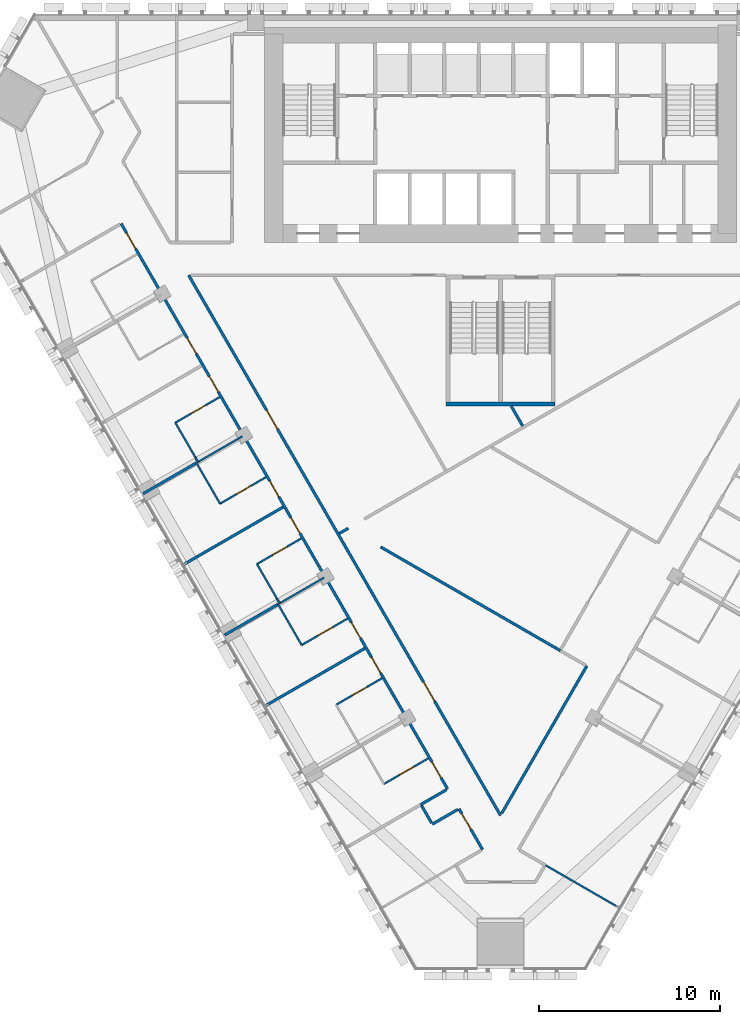
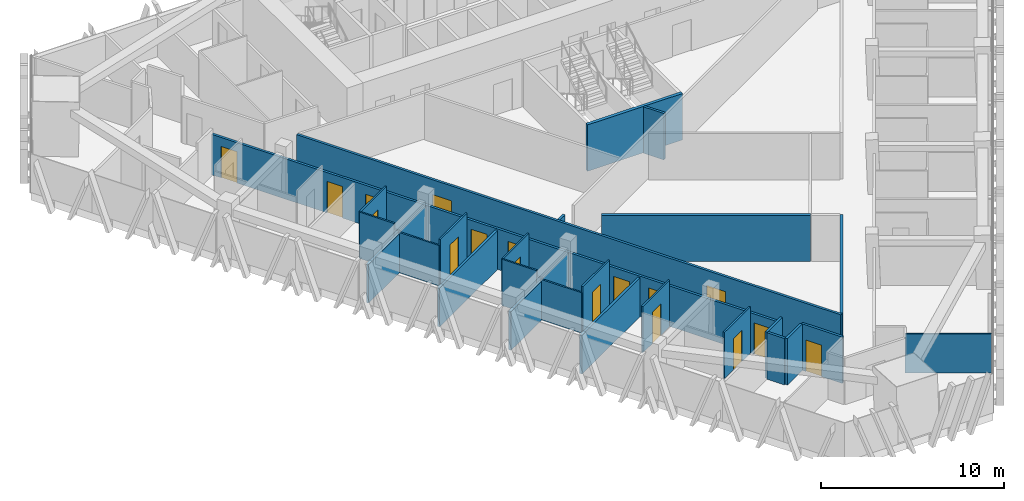
# One storey, part 9 of 17: 30 walls, 17 doors, 17 openings.
"""IFC4 building model written with IfcOpenShell, lengths in metres."""

from ifc_helpers import new_model, si_unit, direction, frame, frame_2d, origin, place, context, subcontext, project, spatial, rectangle, extrude, material, layer, layer_set, type_object, element, fill, save


model = new_model("IFC4")

# Units and contexts
model_context = context("Model", 3, precision=1e-05, world=origin(), true_north=direction((0.0, 1.0)))
body_context = subcontext(model_context, "Body", "Model", "MODEL_VIEW")
ifc_project = project(units=[si_unit("LENGTHUNIT", "METRE"), si_unit("AREAUNIT", "SQUARE_METRE"), si_unit("VOLUMEUNIT", "CUBIC_METRE"), si_unit("PLANEANGLEUNIT", "RADIAN"), si_unit("MASSUNIT", "GRAM", prefix="KILO")], contexts=[model_context])

# Site, building, storey
site_placement = place(None, origin())
site = spatial("IfcSite", under=ifc_project, at=site_placement, CompositionType="ELEMENT")
building_placement = place(site_placement, origin())
building = spatial("IfcBuilding", under=site, at=building_placement, Name="Altiplano Prism Tower", CompositionType="ELEMENT")
storey_placement = place(building_placement, frame((0.0, 0.0, 55.800048828125)))
storey = spatial("IfcBuildingStorey", under=building, at=storey_placement, Name="L13", CompositionType="ELEMENT", Elevation=55.800048828125)

# Walls
ifc_material_1 = material(Name="Plasterboard on steel stud", Category="steel")
ifc_layer_1 = layer(ifc_material_1, 0.10009765625)
ifc_layer_set_1 = layer_set([ifc_layer_1], Name="Plasterboard on steel stud")
wall_type_1 = type_object("IfcWallType", Name="Partition 100 unit", PredefinedType="PARTITIONING", material=ifc_layer_set_1)
wall_1_placement = place(storey_placement, frame((68.321044921875, 80.305419921875, 0.0), z_axis=(0.0, 0.0, 1.0), x_axis=(-0.499816412211, 0.866131372301, 0.0)))
element("IfcWall", 1, at=wall_1_placement, inside=storey, type_object=wall_type_1, Name="Partition P02 L13 061", PredefinedType="PARTITIONING", context=body_context, shape_type="SweptSolid", body=[
    extrude(rectangle(XDim=0.2998046875, YDim=0.10009765625, at=frame_2d((0.14990234375, 0.0))), origin(), (0.0, 0.0, 1.0), 2.699951171875),
])
wall_2_placement = place(storey_placement, frame((68.171142578125, 80.565185546875, 0.0), z_axis=(0.0, 0.0, 1.0), x_axis=(-0.50002983664, 0.866008176907, 0.0)))
element("IfcWall", 2, at=wall_2_placement, inside=storey, type_object=wall_type_1, Name="Partition P02 L13 062", PredefinedType="PARTITIONING", context=body_context, shape_type="SweptSolid", body=[
    extrude(rectangle(XDim=2.199951171875, YDim=0.10009765625, at=frame_2d((1.10009765625, 0.0))), origin(), (0.0, 0.0, 1.0), 3.099853515625),
])

# Wall, opening, door
wall_3_placement = place(storey_placement, frame((67.071044921875, 82.470458984375, 0.0), z_axis=(0.0, 0.0, 1.0), x_axis=(0.866011447264, 0.500024172624, 0.0)))
wall_3 = element("IfcWall", 3, at=wall_3_placement, inside=storey, type_object=wall_type_1, Name="Partition P02 L13 063", PredefinedType="PARTITIONING", context=body_context, shape_type="SweptSolid", body=[
    extrude(rectangle(XDim=2.824951171875, YDim=0.10009765625, at=frame_2d((1.41259765625, 0.0))), origin(), (0.0, 0.0, 1.0), 3.099853515625),
])
opening_1_placement = place(wall_3_placement, frame((1.0, 0.0, 0.0)))
opening_1 = element("IfcOpeningElement", 4, at=opening_1_placement, cuts=wall_3, Name="Opening D0533", PredefinedType="OPENING", context=body_context, shape_type="SweptSolid", body=[
    extrude(rectangle(XDim=0.89990234375, YDim=2.10009765625, at=frame_2d((0.449951171875, 1.050048828125))), frame((0.0, 0.060546875, 0.0), z_axis=(0.0, -1.0, 0.0), x_axis=(1.0, 0.0, 0.0)), (0.0, 0.0, 1.0), 0.12109375),
])
ifc_material_2 = material(Name="Timber", Category="wood")
door_type_1 = type_object("IfcDoorType", Name="Ensuite door 900 x 2100", OperationType="NOTDEFINED", PredefinedType="NOTDEFINED", material=ifc_material_2)
door_1_placement = place(opening_1_placement, origin())
door_1 = element("IfcDoor", 5, at=door_1_placement, inside=storey, type_object=door_type_1, Name="Door D0533", OperationType="SINGLE_SWING_RIGHT", OverallHeight=2.10009765625, OverallWidth=0.89990234375, PredefinedType="NOTDEFINED", context=body_context, shape_type="SweptSolid", body=[
    extrude(rectangle(XDim=0.89990234375, YDim=2.10009765625, at=frame_2d((0.449951171875, 1.050048828125))), frame((0.0, 0.02490234375, 0.0), z_axis=(0.0, -1.0, 0.0), x_axis=(1.0, 0.0, 0.0)), (0.0, 0.0, 1.0), 0.050048828125),
])
fill(opening_1, door_1)

wall_4_placement = place(storey_placement, frame((72.067626953125, 79.46630859375, 0.0), z_axis=(0.0, 0.0, 1.0), x_axis=(-0.866046596414, -0.499963291492, 0.0)))
wall_4 = element("IfcWall", 6, at=wall_4_placement, inside=storey, type_object=wall_type_1, Name="Partition P02 L13 066", PredefinedType="PARTITIONING", context=body_context, shape_type="SweptSolid", body=[
    extrude(rectangle(XDim=2.925048828125, YDim=0.10009765625, at=frame_2d((1.46240234375, 0.0))), origin(), (0.0, 0.0, 1.0), 3.099853515625),
])
opening_2_placement = place(wall_4_placement, frame((0.97509765625, 0.0, 0.0)))
opening_2 = element("IfcOpeningElement", 7, at=opening_2_placement, cuts=wall_4, Name="Opening D0535", PredefinedType="OPENING", context=body_context, shape_type="SweptSolid", body=[
    extrude(rectangle(XDim=0.89990234375, YDim=2.10009765625, at=frame_2d((0.449951171875, 1.050048828125))), frame((0.0, 0.060546875, 0.0), z_axis=(0.0, -1.0, 0.0), x_axis=(1.0, 0.0, 0.0)), (0.0, 0.0, 1.0), 0.12109375),
])
door_2_placement = place(opening_2_placement, origin())
door_2 = element("IfcDoor", 8, at=door_2_placement, inside=storey, type_object=door_type_1, Name="Door D0535", OperationType="SINGLE_SWING_LEFT", OverallHeight=2.10009765625, OverallWidth=0.89990234375, PredefinedType="NOTDEFINED", context=body_context, shape_type="SweptSolid", body=[
    extrude(rectangle(XDim=0.89990234375, YDim=2.10009765625, at=frame_2d((0.449951171875, 1.050048828125))), frame((0.0, 0.02490234375, 0.0), z_axis=(0.0, -1.0, 0.0), x_axis=(1.0, 0.0, 0.0)), (0.0, 0.0, 1.0), 0.050048828125),
])
fill(opening_2, door_2)

# Walls
wall_5_placement = place(storey_placement, frame((69.534423828125, 78.00390625, 0.0), z_axis=(0.0, 0.0, 1.0), x_axis=(-0.500047596559, 0.865997922154, 0.0)))
element("IfcWall", 9, at=wall_5_placement, inside=storey, type_object=wall_type_1, Name="Partition P02 L13 067", PredefinedType="PARTITIONING", context=body_context, shape_type="SweptSolid", body=[
    extrude(rectangle(XDim=2.599853515625, YDim=0.10009765625, at=frame_2d((1.2998046875, 0.0))), origin(), (0.0, 0.0, 1.0), 2.699951171875),
])
wall_6_placement = place(storey_placement, frame((72.821044921875, 72.51123046875, 0.0), z_axis=(0.0, 0.0, 1.0), x_axis=(-0.499816412211, 0.866131372301, 0.0)))
element("IfcWall", 10, at=wall_6_placement, inside=storey, type_object=wall_type_1, Name="Partition P02 L13 069", PredefinedType="PARTITIONING", context=body_context, shape_type="SweptSolid", body=[
    extrude(rectangle(XDim=0.2998046875, YDim=0.10009765625, at=frame_2d((0.14990234375, 0.0))), origin(), (0.0, 0.0, 1.0), 2.699951171875),
])
wall_7_placement = place(storey_placement, frame((72.671142578125, 72.77099609375, 0.0), z_axis=(0.0, 0.0, 1.0), x_axis=(-0.50002983664, 0.866008176907, 0.0)))
element("IfcWall", 11, at=wall_7_placement, inside=storey, type_object=wall_type_1, Name="Partition P02 L13 070", PredefinedType="PARTITIONING", context=body_context, shape_type="SweptSolid", body=[
    extrude(rectangle(XDim=2.199951171875, YDim=0.10009765625, at=frame_2d((1.10009765625, 0.0))), origin(), (0.0, 0.0, 1.0), 3.099853515625),
])

# Wall, opening, door
wall_8_placement = place(storey_placement, frame((71.571044921875, 74.67626953125, 0.0), z_axis=(0.0, 0.0, 1.0), x_axis=(0.866011447264, 0.500024172624, 0.0)))
wall_8 = element("IfcWall", 12, at=wall_8_placement, inside=storey, type_object=wall_type_1, Name="Partition P02 L13 071", PredefinedType="PARTITIONING", context=body_context, shape_type="SweptSolid", body=[
    extrude(rectangle(XDim=2.824951171875, YDim=0.10009765625, at=frame_2d((1.41259765625, 0.0))), origin(), (0.0, 0.0, 1.0), 3.099853515625),
])
opening_3_placement = place(wall_8_placement, frame((1.0, 0.0, 0.0)))
opening_3 = element("IfcOpeningElement", 13, at=opening_3_placement, cuts=wall_8, Name="Opening D0537", PredefinedType="OPENING", context=body_context, shape_type="SweptSolid", body=[
    extrude(rectangle(XDim=0.89990234375, YDim=2.10009765625, at=frame_2d((0.449951171875, 1.050048828125))), frame((0.0, 0.060546875, 0.0), z_axis=(0.0, -1.0, 0.0), x_axis=(1.0, 0.0, 0.0)), (0.0, 0.0, 1.0), 0.12109375),
])
door_3_placement = place(opening_3_placement, origin())
door_3 = element("IfcDoor", 14, at=door_3_placement, inside=storey, type_object=door_type_1, Name="Door D0537", OperationType="SINGLE_SWING_RIGHT", OverallHeight=2.10009765625, OverallWidth=0.89990234375, PredefinedType="NOTDEFINED", context=body_context, shape_type="SweptSolid", body=[
    extrude(rectangle(XDim=0.89990234375, YDim=2.10009765625, at=frame_2d((0.449951171875, 1.050048828125))), frame((0.0, 0.02490234375, 0.0), z_axis=(0.0, -1.0, 0.0), x_axis=(1.0, 0.0, 0.0)), (0.0, 0.0, 1.0), 0.050048828125),
])
fill(opening_3, door_3)

wall_9_placement = place(storey_placement, frame((76.567626953125, 71.672119140625, 0.0), z_axis=(0.0, 0.0, 1.0), x_axis=(-0.86601045545, -0.500025890382, 0.0)))
wall_9 = element("IfcWall", 15, at=wall_9_placement, inside=storey, type_object=wall_type_1, Name="Partition P02 L13 074", PredefinedType="PARTITIONING", context=body_context, shape_type="SweptSolid", body=[
    extrude(rectangle(XDim=2.925048828125, YDim=0.10009765625, at=frame_2d((1.46240234375, 0.0))), origin(), (0.0, 0.0, 1.0), 3.099853515625),
])
opening_4_placement = place(wall_9_placement, frame((0.97509765625, 0.0, 0.0)))
opening_4 = element("IfcOpeningElement", 16, at=opening_4_placement, cuts=wall_9, Name="Opening D0539", PredefinedType="OPENING", context=body_context, shape_type="SweptSolid", body=[
    extrude(rectangle(XDim=0.89990234375, YDim=2.10009765625, at=frame_2d((0.449951171875, 1.050048828125))), frame((0.0, 0.060546875, 0.0), z_axis=(0.0, -1.0, 0.0), x_axis=(1.0, 0.0, 0.0)), (0.0, 0.0, 1.0), 0.12109375),
])
door_4_placement = place(opening_4_placement, origin())
door_4 = element("IfcDoor", 17, at=door_4_placement, inside=storey, type_object=door_type_1, Name="Door D0539", OperationType="SINGLE_SWING_RIGHT", OverallHeight=2.10009765625, OverallWidth=0.89990234375, PredefinedType="NOTDEFINED", context=body_context, shape_type="SweptSolid", body=[
    extrude(rectangle(XDim=0.89990234375, YDim=2.10009765625, at=frame_2d((0.449951171875, 1.050048828125))), frame((0.0, 0.02490234375, 0.0), z_axis=(0.0, -1.0, 0.0), x_axis=(1.0, 0.0, 0.0)), (0.0, 0.0, 1.0), 0.050048828125),
])
fill(opening_4, door_4)

# Wall
wall_10_placement = place(storey_placement, frame((74.034423828125, 70.20947265625, 0.0), z_axis=(0.0, 0.0, 1.0), x_axis=(-0.500006934395, 0.866021400173, 0.0)))
element("IfcWall", 18, at=wall_10_placement, inside=storey, type_object=wall_type_1, Name="Partition P02 L13 075", PredefinedType="PARTITIONING", context=body_context, shape_type="SweptSolid", body=[
    extrude(rectangle(XDim=2.60009765625, YDim=0.10009765625, at=frame_2d((1.300048828125, 0.0))), origin(), (0.0, 0.0, 1.0), 2.699951171875),
])

# Wall, opening, door
wall_11_placement = place(storey_placement, frame((75.9345703125, 66.918701171875, 0.0), z_axis=(0.0, 0.0, 1.0), x_axis=(0.866025730634, 0.499999433879, 0.0)))
wall_11 = element("IfcWall", 19, at=wall_11_placement, inside=storey, type_object=wall_type_1, Name="Partition P02 L13 078", PredefinedType="PARTITIONING", context=body_context, shape_type="SweptSolid", body=[
    extrude(rectangle(XDim=2.9248046875, YDim=0.10009765625, at=frame_2d((1.46240234375, 0.0))), origin(), (0.0, 0.0, 1.0), 3.099853515625),
])
opening_5_placement = place(wall_11_placement, frame((1.050048828125, 0.0, 0.0)))
opening_5 = element("IfcOpeningElement", 20, at=opening_5_placement, cuts=wall_11, Name="Opening D0541", PredefinedType="OPENING", context=body_context, shape_type="SweptSolid", body=[
    extrude(rectangle(XDim=0.89990234375, YDim=2.10009765625, at=frame_2d((0.449951171875, 1.050048828125))), frame((0.0, 0.060546875, 0.0), z_axis=(0.0, -1.0, 0.0), x_axis=(1.0, 0.0, 0.0)), (0.0, 0.0, 1.0), 0.12109375),
])
door_5_placement = place(opening_5_placement, origin())
door_5 = element("IfcDoor", 21, at=door_5_placement, inside=storey, type_object=door_type_1, Name="Door D0541", OperationType="SINGLE_SWING_RIGHT", OverallHeight=2.10009765625, OverallWidth=0.89990234375, PredefinedType="NOTDEFINED", context=body_context, shape_type="SweptSolid", body=[
    extrude(rectangle(XDim=0.89990234375, YDim=2.10009765625, at=frame_2d((0.449951171875, 1.050048828125))), frame((0.0, 0.02490234375, 0.0), z_axis=(0.0, -1.0, 0.0), x_axis=(1.0, 0.0, 0.0)), (0.0, 0.0, 1.0), 0.050048828125),
])
fill(opening_5, door_5)

wall_12_placement = place(storey_placement, frame((81.017578125, 63.96435546875, 0.0), z_axis=(0.0, 0.0, 1.0), x_axis=(-0.866048868473, -0.499959355765, 0.0)))
wall_12 = element("IfcWall", 22, at=wall_12_placement, inside=storey, type_object=wall_type_1, Name="Partition P02 L13 081", PredefinedType="PARTITIONING", context=body_context, shape_type="SweptSolid", body=[
    extrude(rectangle(XDim=2.824951171875, YDim=0.10009765625, at=frame_2d((1.41259765625, 0.0))), origin(), (0.0, 0.0, 1.0), 3.099853515625),
])
opening_6_placement = place(wall_12_placement, frame((0.925048828125, 0.0, 0.0)))
opening_6 = element("IfcOpeningElement", 23, at=opening_6_placement, cuts=wall_12, Name="Opening D0543", PredefinedType="OPENING", context=body_context, shape_type="SweptSolid", body=[
    extrude(rectangle(XDim=0.89990234375, YDim=2.10009765625, at=frame_2d((0.449951171875, 1.050048828125))), frame((0.0, 0.060546875, 0.0), z_axis=(0.0, -1.0, 0.0), x_axis=(1.0, 0.0, 0.0)), (0.0, 0.0, 1.0), 0.12109375),
])
door_6_placement = place(opening_6_placement, origin())
door_6 = element("IfcDoor", 24, at=door_6_placement, inside=storey, type_object=door_type_1, Name="Door D0543", OperationType="SINGLE_SWING_RIGHT", OverallHeight=2.10009765625, OverallWidth=0.89990234375, PredefinedType="NOTDEFINED", context=body_context, shape_type="SweptSolid", body=[
    extrude(rectangle(XDim=0.89990234375, YDim=2.10009765625, at=frame_2d((0.449951171875, 1.050048828125))), frame((0.0, 0.02490234375, 0.0), z_axis=(0.0, -1.0, 0.0), x_axis=(1.0, 0.0, 0.0)), (0.0, 0.0, 1.0), 0.050048828125),
])
fill(opening_6, door_6)

# Walls
ifc_layer_2 = layer(ifc_material_1, 0.10009765625)
ifc_layer_set_2 = layer_set([ifc_layer_2], Name="Plasterboard on steel stud")
wall_type_2 = type_object("IfcWallType", Name="Partition 100 wet", PredefinedType="PARTITIONING", material=ifc_layer_set_2)
for number, where, z_axis, x_axis, name in (
    (25, (68.3037109375, 80.29541015625, 0.0), (0.0, 0.0, 1.0), (0.866011243319, 0.500024525844, 0.0), "Partition P03 L13 065"),
    (26, (72.8037109375, 72.501220703125, 0.0), (0.0, 0.0, 1.0), (0.866011243319, 0.500024525844, 0.0), "Partition P03 L13 073"),
):
    element("IfcWall", number, at=place(storey_placement, frame(where, z_axis=z_axis, x_axis=x_axis)), inside=storey, type_object=wall_type_2, Name=name, PredefinedType="PARTITIONING", context=body_context, shape_type="SweptSolid", body=[
        extrude(rectangle(XDim=2.844970703125, YDim=0.10009765625, at=frame_2d((1.42236328125, 0.0))), origin(), (0.0, 0.0, 1.0), 2.699951171875),
    ])
wall_13_placement = place(storey_placement, frame((91.55029296875, 55.7216796875, 0.0), z_axis=(0.0, 0.0, 1.0), x_axis=(-0.866028632512, 0.499994407638, 0.0)))
element("IfcWall", 27, at=wall_13_placement, inside=storey, type_object=wall_type_2, Name="Partition P03 L13 085", PredefinedType="PARTITIONING", context=body_context, shape_type="SweptSolid", body=[
    extrude(rectangle(XDim=4.740234375, YDim=0.10009765625, at=frame_2d((2.3701171875, 0.0))), origin(), (0.0, 0.0, 1.0), 2.599853515625),
])

# Wall, openings, doors
ifc_layer_3 = layer(ifc_material_1, 0.14990234375)
ifc_layer_set_3 = layer_set([ifc_layer_3], Name="Plasterboard on steel stud")
wall_type_3 = type_object("IfcWallType", Name="Partition 150 corridor", PredefinedType="PARTITIONING", material=ifc_layer_set_3)
wall_14_placement = place(storey_placement, frame((64.08251953125, 93.44677734375, 0.0), z_axis=(0.0, 0.0, 1.0), x_axis=(0.5000018851, -0.866024315419, 0.0)))
wall_14 = element("IfcWall", 28, at=wall_14_placement, inside=storey, type_object=wall_type_3, Name="Partition P06 L13 012", PredefinedType="PARTITIONING", context=body_context, shape_type="SweptSolid", body=[
    extrude(rectangle(XDim=35.999755859375, YDim=0.14990234375, at=frame_2d((18.0, 0.0))), origin(), (0.0, 0.0, 1.0), 2.699951171875),
])
opening_7_placement = place(wall_14_placement, frame((0.60498046875, 0.0, 0.0)))
opening_7 = element("IfcOpeningElement", 29, at=opening_7_placement, cuts=wall_14, Name="Opening D0528", PredefinedType="OPENING", context=body_context, shape_type="SweptSolid", body=[
    extrude(rectangle(XDim=1.0, YDim=2.10009765625, at=frame_2d((0.5, 1.050048828125))), frame((0.0, 0.08544921875, 0.0), z_axis=(0.0, -1.0, 0.0), x_axis=(1.0, 0.0, 0.0)), (0.0, 0.0, 1.0), 0.1708984375),
])
opening_8_placement = place(wall_14_placement, frame((7.280029296875, 0.0, 0.0)))
opening_8 = element("IfcOpeningElement", 30, at=opening_8_placement, cuts=wall_14, Name="Opening D0530", PredefinedType="OPENING", context=body_context, shape_type="SweptSolid", body=[
    extrude(rectangle(XDim=1.0, YDim=2.10009765625, at=frame_2d((0.5, 1.050048828125))), frame((0.0, 0.08544921875, 0.0), z_axis=(0.0, -1.0, 0.0), x_axis=(1.0, 0.0, 0.0)), (0.0, 0.0, 1.0), 0.1708984375),
])
opening_9_placement = place(wall_14_placement, frame((9.719970703125, 0.0, 0.0)))
opening_9 = element("IfcOpeningElement", 31, at=opening_9_placement, cuts=wall_14, Name="Opening D0532", PredefinedType="OPENING", context=body_context, shape_type="SweptSolid", body=[
    extrude(rectangle(XDim=1.0, YDim=2.10009765625, at=frame_2d((0.5, 1.050048828125))), frame((0.0, 0.08544921875, 0.0), z_axis=(0.0, -1.0, 0.0), x_axis=(1.0, 0.0, 0.0)), (0.0, 0.0, 1.0), 0.1708984375),
])
opening_10_placement = place(wall_14_placement, frame((16.39501953125, 0.0, 0.0)))
opening_10 = element("IfcOpeningElement", 32, at=opening_10_placement, cuts=wall_14, Name="Opening D0534", PredefinedType="OPENING", context=body_context, shape_type="SweptSolid", body=[
    extrude(rectangle(XDim=1.0, YDim=2.10009765625, at=frame_2d((0.5, 1.050048828125))), frame((0.0, 0.08544921875, 0.0), z_axis=(0.0, -1.0, 0.0), x_axis=(1.0, 0.0, 0.0)), (0.0, 0.0, 1.0), 0.1708984375),
])
opening_11_placement = place(wall_14_placement, frame((18.719970703125, 0.0, 0.0)))
opening_11 = element("IfcOpeningElement", 33, at=opening_11_placement, cuts=wall_14, Name="Opening D0536", PredefinedType="OPENING", context=body_context, shape_type="SweptSolid", body=[
    extrude(rectangle(XDim=1.0, YDim=2.10009765625, at=frame_2d((0.5, 1.050048828125))), frame((0.0, 0.08544921875, 0.0), z_axis=(0.0, -1.0, 0.0), x_axis=(1.0, 0.0, 0.0)), (0.0, 0.0, 1.0), 0.1708984375),
])
opening_12_placement = place(wall_14_placement, frame((25.39501953125, 0.0, 0.0)))
opening_12 = element("IfcOpeningElement", 34, at=opening_12_placement, cuts=wall_14, Name="Opening D0538", PredefinedType="OPENING", context=body_context, shape_type="SweptSolid", body=[
    extrude(rectangle(XDim=1.0, YDim=2.10009765625, at=frame_2d((0.5, 1.050048828125))), frame((0.0, 0.08544921875, 0.0), z_axis=(0.0, -1.0, 0.0), x_axis=(1.0, 0.0, 0.0)), (0.0, 0.0, 1.0), 0.1708984375),
])
opening_13_placement = place(wall_14_placement, frame((27.60498046875, 0.0, 0.0)))
opening_13 = element("IfcOpeningElement", 35, at=opening_13_placement, cuts=wall_14, Name="Opening D0540", PredefinedType="OPENING", context=body_context, shape_type="SweptSolid", body=[
    extrude(rectangle(XDim=1.0, YDim=2.10009765625, at=frame_2d((0.5, 1.050048828125))), frame((0.0, 0.08544921875, 0.0), z_axis=(0.0, -1.0, 0.0), x_axis=(1.0, 0.0, 0.0)), (0.0, 0.0, 1.0), 0.1708984375),
])
opening_14_placement = place(wall_14_placement, frame((34.280029296875, 0.0, 0.0)))
opening_14 = element("IfcOpeningElement", 36, at=opening_14_placement, cuts=wall_14, Name="Opening D0542", PredefinedType="OPENING", context=body_context, shape_type="SweptSolid", body=[
    extrude(rectangle(XDim=1.0, YDim=2.10009765625, at=frame_2d((0.5, 1.050048828125))), frame((0.0, 0.08544921875, 0.0), z_axis=(0.0, -1.0, 0.0), x_axis=(1.0, 0.0, 0.0)), (0.0, 0.0, 1.0), 0.1708984375),
])
door_type_2 = type_object("IfcDoorType", Name="Bedroom entrance door 1000 x 2100", OperationType="NOTDEFINED", PredefinedType="NOTDEFINED", material=ifc_material_2)
door_7_placement = place(opening_7_placement, origin())
door_7 = element("IfcDoor", 37, at=door_7_placement, inside=storey, type_object=door_type_2, Name="Door D0528", OperationType="SINGLE_SWING_RIGHT", OverallHeight=2.10009765625, OverallWidth=1.0, PredefinedType="NOTDEFINED", context=body_context, shape_type="SweptSolid", body=[
    extrude(rectangle(XDim=1.0, YDim=2.10009765625, at=frame_2d((0.5, 1.050048828125))), frame((0.0, 0.02490234375, 0.0), z_axis=(0.0, -1.0, 0.0), x_axis=(1.0, 0.0, 0.0)), (0.0, 0.0, 1.0), 0.050048828125),
])
fill(opening_7, door_7)
door_8_placement = place(opening_8_placement, origin())
door_8 = element("IfcDoor", 38, at=door_8_placement, inside=storey, type_object=door_type_2, Name="Door D0530", OperationType="SINGLE_SWING_RIGHT", OverallHeight=2.10009765625, OverallWidth=1.0, PredefinedType="NOTDEFINED", context=body_context, shape_type="SweptSolid", body=[
    extrude(rectangle(XDim=1.0, YDim=2.10009765625, at=frame_2d((0.5, 1.050048828125))), frame((0.0, 0.02490234375, 0.0), z_axis=(0.0, -1.0, 0.0), x_axis=(1.0, 0.0, 0.0)), (0.0, 0.0, 1.0), 0.050048828125),
])
fill(opening_8, door_8)
door_9_placement = place(opening_9_placement, origin())
door_9 = element("IfcDoor", 39, at=door_9_placement, inside=storey, type_object=door_type_2, Name="Door D0532", OperationType="SINGLE_SWING_RIGHT", OverallHeight=2.10009765625, OverallWidth=1.0, PredefinedType="NOTDEFINED", context=body_context, shape_type="SweptSolid", body=[
    extrude(rectangle(XDim=1.0, YDim=2.10009765625, at=frame_2d((0.5, 1.050048828125))), frame((0.0, 0.02490234375, 0.0), z_axis=(0.0, -1.0, 0.0), x_axis=(1.0, 0.0, 0.0)), (0.0, 0.0, 1.0), 0.050048828125),
])
fill(opening_9, door_9)
door_10_placement = place(opening_10_placement, origin())
door_10 = element("IfcDoor", 40, at=door_10_placement, inside=storey, type_object=door_type_2, Name="Door D0534", OperationType="SINGLE_SWING_RIGHT", OverallHeight=2.10009765625, OverallWidth=1.0, PredefinedType="NOTDEFINED", context=body_context, shape_type="SweptSolid", body=[
    extrude(rectangle(XDim=1.0, YDim=2.10009765625, at=frame_2d((0.5, 1.050048828125))), frame((0.0, 0.02490234375, 0.0), z_axis=(0.0, -1.0, 0.0), x_axis=(1.0, 0.0, 0.0)), (0.0, 0.0, 1.0), 0.050048828125),
])
fill(opening_10, door_10)
door_11_placement = place(opening_11_placement, origin())
door_11 = element("IfcDoor", 41, at=door_11_placement, inside=storey, type_object=door_type_2, Name="Door D0536", OperationType="SINGLE_SWING_LEFT", OverallHeight=2.10009765625, OverallWidth=1.0, PredefinedType="NOTDEFINED", context=body_context, shape_type="SweptSolid", body=[
    extrude(rectangle(XDim=1.0, YDim=2.10009765625, at=frame_2d((0.5, 1.050048828125))), frame((0.0, 0.02490234375, 0.0), z_axis=(0.0, -1.0, 0.0), x_axis=(1.0, 0.0, 0.0)), (0.0, 0.0, 1.0), 0.050048828125),
])
fill(opening_11, door_11)
door_12_placement = place(opening_12_placement, origin())
door_12 = element("IfcDoor", 42, at=door_12_placement, inside=storey, type_object=door_type_2, Name="Door D0538", OperationType="SINGLE_SWING_RIGHT", OverallHeight=2.10009765625, OverallWidth=1.0, PredefinedType="NOTDEFINED", context=body_context, shape_type="SweptSolid", body=[
    extrude(rectangle(XDim=1.0, YDim=2.10009765625, at=frame_2d((0.5, 1.050048828125))), frame((0.0, 0.02490234375, 0.0), z_axis=(0.0, -1.0, 0.0), x_axis=(1.0, 0.0, 0.0)), (0.0, 0.0, 1.0), 0.050048828125),
])
fill(opening_12, door_12)
door_13_placement = place(opening_13_placement, origin())
door_13 = element("IfcDoor", 43, at=door_13_placement, inside=storey, type_object=door_type_2, Name="Door D0540", OperationType="SINGLE_SWING_LEFT", OverallHeight=2.10009765625, OverallWidth=1.0, PredefinedType="NOTDEFINED", context=body_context, shape_type="SweptSolid", body=[
    extrude(rectangle(XDim=1.0, YDim=2.10009765625, at=frame_2d((0.5, 1.050048828125))), frame((0.0, 0.02490234375, 0.0), z_axis=(0.0, -1.0, 0.0), x_axis=(1.0, 0.0, 0.0)), (0.0, 0.0, 1.0), 0.050048828125),
])
fill(opening_13, door_13)
door_14_placement = place(opening_14_placement, origin())
door_14 = element("IfcDoor", 44, at=door_14_placement, inside=storey, type_object=door_type_2, Name="Door D0542", OperationType="SINGLE_SWING_LEFT", OverallHeight=2.10009765625, OverallWidth=1.0, PredefinedType="NOTDEFINED", context=body_context, shape_type="SweptSolid", body=[
    extrude(rectangle(XDim=1.0, YDim=2.10009765625, at=frame_2d((0.5, 1.050048828125))), frame((0.0, 0.02490234375, 0.0), z_axis=(0.0, -1.0, 0.0), x_axis=(1.0, 0.0, 0.0)), (0.0, 0.0, 1.0), 0.050048828125),
])
fill(opening_14, door_14)

# Walls
wall_15_placement = place(storey_placement, frame((82.017578125, 62.232421875, 0.0), z_axis=(0.0, 0.0, 1.0), x_axis=(-0.866015045157, -0.50001794124, 0.0)))
element("IfcWall", 45, at=wall_15_placement, inside=storey, type_object=wall_type_3, Name="Partition P06 L13 013", PredefinedType="PARTITIONING", context=body_context, shape_type="SweptSolid", body=[
    extrude(rectangle(XDim=1.64501953125, YDim=0.14990234375, at=frame_2d((0.822509765625, 0.0))), origin(), (0.0, 0.0, 1.0), 3.099853515625),
])
wall_16_placement = place(storey_placement, frame((80.647705078125, 61.35498046875, 0.0), z_axis=(0.0, 0.0, 1.0), x_axis=(0.499990325971, -0.866030989016, 0.0)))
element("IfcWall", 46, at=wall_16_placement, inside=storey, type_object=wall_type_3, Name="Partition P06 L13 014", PredefinedType="PARTITIONING", context=body_context, shape_type="SweptSolid", body=[
    extrude(rectangle(XDim=1.1044921875, YDim=0.14990234375, at=frame_2d((0.55224609375, 0.0))), origin(), (0.0, 0.0, 1.0), 3.099853515625),
])
wall_17_placement = place(storey_placement, frame((81.237548828125, 60.33349609375, 0.0), z_axis=(0.0, 0.0, 1.0), x_axis=(0.866015446554, 0.500017246033, 0.0)))
element("IfcWall", 47, at=wall_17_placement, inside=storey, type_object=wall_type_3, Name="Partition P06 L13 015", PredefinedType="PARTITIONING", context=body_context, shape_type="SweptSolid", body=[
    extrude(rectangle(XDim=1.625, YDim=0.14990234375, at=frame_2d((0.8125, 0.0))), origin(), (0.0, 0.0, 1.0), 3.099853515625),
])

# Wall, opening, door
wall_18_placement = place(storey_placement, frame((82.709716796875, 61.18359375, 0.0), z_axis=(0.0, 0.0, 1.0), x_axis=(0.500006934395, -0.866021400173, 0.0)))
wall_18 = element("IfcWall", 48, at=wall_18_placement, inside=storey, type_object=wall_type_3, Name="Partition P06 L13 016", PredefinedType="PARTITIONING", context=body_context, shape_type="SweptSolid", body=[
    extrude(rectangle(XDim=2.60009765625, YDim=0.14990234375, at=frame_2d((1.300048828125, 0.0))), origin(), (0.0, 0.0, 1.0), 3.099853515625),
])
opening_15_placement = place(wall_18_placement, frame((0.2939453125, 0.0, 0.0)))
opening_15 = element("IfcOpeningElement", 49, at=opening_15_placement, cuts=wall_18, Name="Opening D0544", PredefinedType="OPENING", context=body_context, shape_type="SweptSolid", body=[
    extrude(rectangle(XDim=1.0, YDim=2.10009765625, at=frame_2d((0.5, 1.050048828125))), frame((0.0, 0.08544921875, 0.0), z_axis=(0.0, -1.0, 0.0), x_axis=(1.0, 0.0, 0.0)), (0.0, 0.0, 1.0), 0.1708984375),
])
door_type_3 = type_object("IfcDoorType", Name="Room door 1000 x 2100", OperationType="NOTDEFINED", PredefinedType="NOTDEFINED", material=ifc_material_2)
door_15_placement = place(opening_15_placement, origin())
door_15 = element("IfcDoor", 50, at=door_15_placement, inside=storey, type_object=door_type_3, Name="Door D0544", OperationType="SINGLE_SWING_RIGHT", OverallHeight=2.10009765625, OverallWidth=1.0, PredefinedType="NOTDEFINED", context=body_context, shape_type="SweptSolid", body=[
    extrude(rectangle(XDim=1.0, YDim=2.10009765625, at=frame_2d((0.5, 1.050048828125))), frame((0.0, 0.02490234375, 0.0), z_axis=(0.0, -1.0, 0.0), x_axis=(1.0, 0.0, 0.0)), (0.0, 0.0, 1.0), 0.050048828125),
])
fill(opening_15, door_15)

# Wall
wall_19_placement = place(storey_placement, frame((89.757568359375, 69.057373046875, 0.0), z_axis=(0.0, 0.0, 1.0), x_axis=(-0.499985904184, -0.866033541855, 0.0)))
element("IfcWall", 51, at=wall_19_placement, inside=storey, type_object=wall_type_3, Name="Partition P06 L13 040", PredefinedType="PARTITIONING", context=body_context, shape_type="SweptSolid", body=[
    extrude(rectangle(XDim=9.385498046875, YDim=0.14990234375, at=frame_2d((4.69287109375, 0.0))), origin(), (0.0, 0.0, 1.0), 3.099853515625),
])

# Wall, openings, doors
wall_20_placement = place(storey_placement, frame((85.0, 60.816650390625, 0.0), z_axis=(0.0, 0.0, 1.0), x_axis=(-0.49999631887, 0.866027529076, 0.0)))
wall_20 = element("IfcWall", 52, at=wall_20_placement, inside=storey, type_object=wall_type_3, Name="Partition P06 L13 041", PredefinedType="PARTITIONING", context=body_context, shape_type="SweptSolid", body=[
    extrude(rectangle(XDim=34.390869140625, YDim=0.14990234375, at=frame_2d((17.1953125, 0.0))), origin(), (0.0, 0.0, 1.0), 3.099853515625),
])
opening_16_placement = place(wall_20_placement, frame((24.59912109375, 0.0, 0.0)))
opening_16 = element("IfcOpeningElement", 53, at=opening_16_placement, cuts=wall_20, Name="Opening D0564", PredefinedType="OPENING", context=body_context, shape_type="SweptSolid", body=[
    extrude(rectangle(XDim=1.199951171875, YDim=2.10009765625, at=frame_2d((0.60009765625, 1.050048828125))), frame((0.0, 0.08544921875, 0.0), z_axis=(0.0, -1.0, 0.0), x_axis=(1.0, 0.0, 0.0)), (0.0, 0.0, 1.0), 0.1708984375),
])
opening_17_placement = place(wall_20_placement, frame((7.281005859375, 0.0, 0.0)))
opening_17 = element("IfcOpeningElement", 54, at=opening_17_placement, cuts=wall_20, Name="Opening D0567", PredefinedType="OPENING", context=body_context, shape_type="SweptSolid", body=[
    extrude(rectangle(XDim=1.199951171875, YDim=2.10009765625, at=frame_2d((0.60009765625, 1.050048828125))), frame((0.0, 0.08544921875, 0.0), z_axis=(0.0, -1.0, 0.0), x_axis=(1.0, 0.0, 0.0)), (0.0, 0.0, 1.0), 0.1708984375),
])
door_type_4 = type_object("IfcDoorType", Name="Shared room door 1200 x 2100", OperationType="NOTDEFINED", PredefinedType="NOTDEFINED", material=ifc_material_2)
door_16_placement = place(opening_16_placement, origin())
door_16 = element("IfcDoor", 55, at=door_16_placement, inside=storey, type_object=door_type_4, Name="Door D0564", OperationType="SINGLE_SWING_LEFT", OverallHeight=2.10009765625, OverallWidth=1.199951171875, PredefinedType="NOTDEFINED", context=body_context, shape_type="SweptSolid", body=[
    extrude(rectangle(XDim=1.199951171875, YDim=2.10009765625, at=frame_2d((0.60009765625, 1.050048828125))), frame((0.0, 0.02490234375, 0.0), z_axis=(0.0, -1.0, 0.0), x_axis=(1.0, 0.0, 0.0)), (0.0, 0.0, 1.0), 0.050048828125),
])
fill(opening_16, door_16)
door_17_placement = place(opening_17_placement, origin())
door_17 = element("IfcDoor", 56, at=door_17_placement, inside=storey, type_object=door_type_4, Name="Door D0567", OperationType="SINGLE_SWING_LEFT", OverallHeight=2.10009765625, OverallWidth=1.199951171875, PredefinedType="NOTDEFINED", context=body_context, shape_type="SweptSolid", body=[
    extrude(rectangle(XDim=1.199951171875, YDim=2.10009765625, at=frame_2d((0.60009765625, 1.050048828125))), frame((0.0, 0.02490234375, 0.0), z_axis=(0.0, -1.0, 0.0), x_axis=(1.0, 0.0, 0.0)), (0.0, 0.0, 1.0), 0.050048828125),
])
fill(opening_17, door_17)

# Walls
ifc_layer_4 = layer(ifc_material_1, 0.14990234375)
ifc_layer_set_4 = layer_set([ifc_layer_4], Name="Plasterboard on steel stud")
wall_type_4 = type_object("IfcWallType", Name="Partition 150 party", PredefinedType="PARTITIONING", material=ifc_layer_set_4)
wall_21_placement = place(storey_placement, frame((65.2900390625, 78.555419921875, 0.0), z_axis=(0.0, 0.0, 1.0), x_axis=(0.866020560687, 0.500008388397, 0.0)))
element("IfcWall", 57, at=wall_21_placement, inside=storey, type_object=wall_type_4, Name="Partition P01 L13 064", PredefinedType="PARTITIONING", context=body_context, shape_type="SweptSolid", body=[
    extrude(rectangle(XDim=3.39990234375, YDim=0.14990234375, at=frame_2d((1.699951171875, 0.0))), origin(), (0.0, 0.0, 1.0), 2.599853515625),
])
wall_22_placement = place(storey_placement, frame((67.5224609375, 74.648193359375, 0.0), z_axis=(0.0, 0.0, 1.0), x_axis=(0.866025401434, 0.500000004071, 0.0)))
element("IfcWall", 58, at=wall_22_placement, inside=storey, type_object=wall_type_4, Name="Partition P01 L13 068", PredefinedType="PARTITIONING", context=body_context, shape_type="SweptSolid", body=[
    extrude(rectangle(XDim=6.34521484375, YDim=0.14990234375, at=frame_2d((3.172607421875, 0.0))), origin(), (0.0, 0.0, 1.0), 2.599853515625),
])
wall_23_placement = place(storey_placement, frame((69.7900390625, 70.76123046875, 0.0), z_axis=(0.0, 0.0, 1.0), x_axis=(0.866020560687, 0.500008388397, 0.0)))
element("IfcWall", 59, at=wall_23_placement, inside=storey, type_object=wall_type_4, Name="Partition P01 L13 072", PredefinedType="PARTITIONING", context=body_context, shape_type="SweptSolid", body=[
    extrude(rectangle(XDim=3.39990234375, YDim=0.14990234375, at=frame_2d((1.699951171875, 0.0))), origin(), (0.0, 0.0, 1.0), 2.599853515625),
])
wall_24_placement = place(storey_placement, frame((72.0224609375, 66.85400390625, 0.0), z_axis=(0.0, 0.0, 1.0), x_axis=(0.866025401434, 0.500000004071, 0.0)))
element("IfcWall", 60, at=wall_24_placement, inside=storey, type_object=wall_type_4, Name="Partition P01 L13 076", PredefinedType="PARTITIONING", context=body_context, shape_type="SweptSolid", body=[
    extrude(rectangle(XDim=6.34521484375, YDim=0.14990234375, at=frame_2d((3.172607421875, 0.0))), origin(), (0.0, 0.0, 1.0), 2.599853515625),
])
wall_25_placement = place(storey_placement, frame((78.39453125, 75.61767578125, 0.0), z_axis=(0.0, 0.0, 1.0), x_axis=(0.866027097721, -0.499997066004, 0.0)))
element("IfcWall", 61, at=wall_25_placement, inside=storey, type_object=wall_type_4, Name="Partition P01 L13 111", PredefinedType="PARTITIONING", context=body_context, shape_type="SweptSolid", body=[
    extrude(rectangle(XDim=11.44091796875, YDim=0.14990234375, at=frame_2d((5.720458984375, 0.0))), origin(), (0.0, 0.0, 1.0), 3.099853515625),
])
wall_26_placement = place(storey_placement, frame((76.111328125, 76.362548828125, 0.0), z_axis=(0.0, 0.0, 1.0), x_axis=(0.866192672213, 0.499710170603, 0.0)))
element("IfcWall", 62, at=wall_26_placement, inside=storey, type_object=wall_type_4, Name="Partition P01 L13 112", PredefinedType="PARTITIONING", context=body_context, shape_type="SweptSolid", body=[
    extrude(rectangle(XDim=0.573486328125, YDim=0.14990234375, at=frame_2d((0.28662109375, 0.0))), origin(), (0.0, 0.0, 1.0), 3.099853515625),
])
wall_27_placement = place(storey_placement, frame((85.580078125, 83.39990234375, 0.0), z_axis=(0.0, 0.0, 1.0), x_axis=(0.500122526358, -0.865954651601, 0.0)))
element("IfcWall", 63, at=wall_27_placement, inside=storey, type_object=wall_type_4, Name="Partition P01 L13 115", PredefinedType="PARTITIONING", context=body_context, shape_type="SweptSolid", body=[
    extrude(rectangle(XDim=1.285400390625, YDim=0.14990234375, at=frame_2d((0.642578125, 0.0))), origin(), (0.0, 0.0, 1.0), 3.099853515625),
])
ifc_material_3 = material(Name="Concrete C60/75", Category="concrete")
ifc_layer_5 = layer(ifc_material_3, 0.199951171875)
ifc_layer_set_5 = layer_set([ifc_layer_5], Name="Concrete C60/75")
wall_type_5 = type_object("IfcWallType", Name="Stair wall 200", PredefinedType="SOLIDWALL", material=ifc_layer_set_5)
wall_28_placement = place(storey_placement, frame((82.0, 83.5, 0.0), z_axis=(0.0, 0.0, 1.0), x_axis=(1.0, 0.0, 0.0)))
element("IfcWall", 64, at=wall_28_placement, inside=storey, type_object=wall_type_5, Name="Stair 3 wall south L13", PredefinedType="SOLIDWALL", context=body_context, shape_type="SweptSolid", body=[
    extrude(rectangle(XDim=6.0, YDim=0.199951171875, at=frame_2d((3.0, 0.0))), origin(), (0.0, 0.0, 1.0), 3.099853515625),
])

save(model, "model.ifc")
